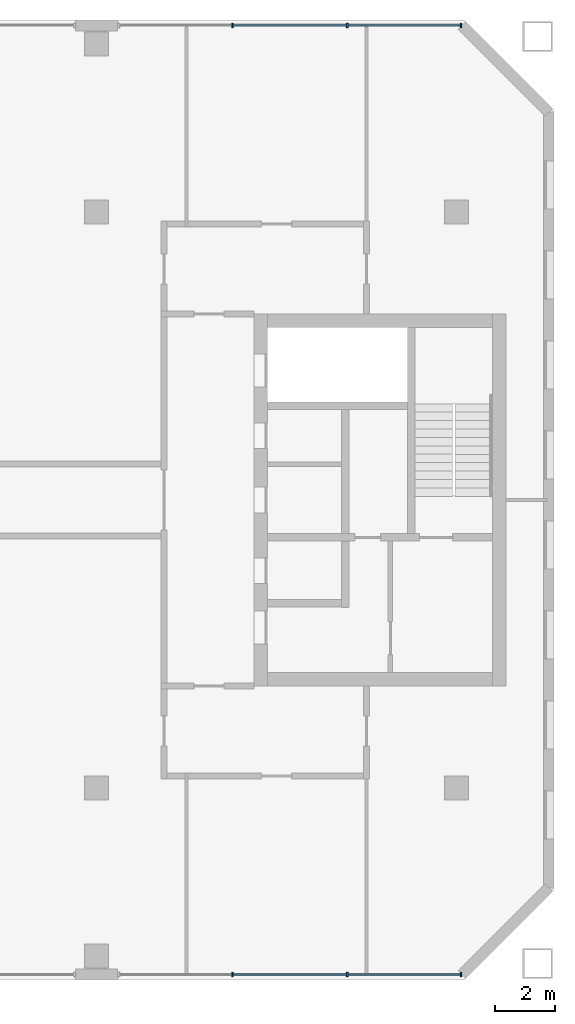
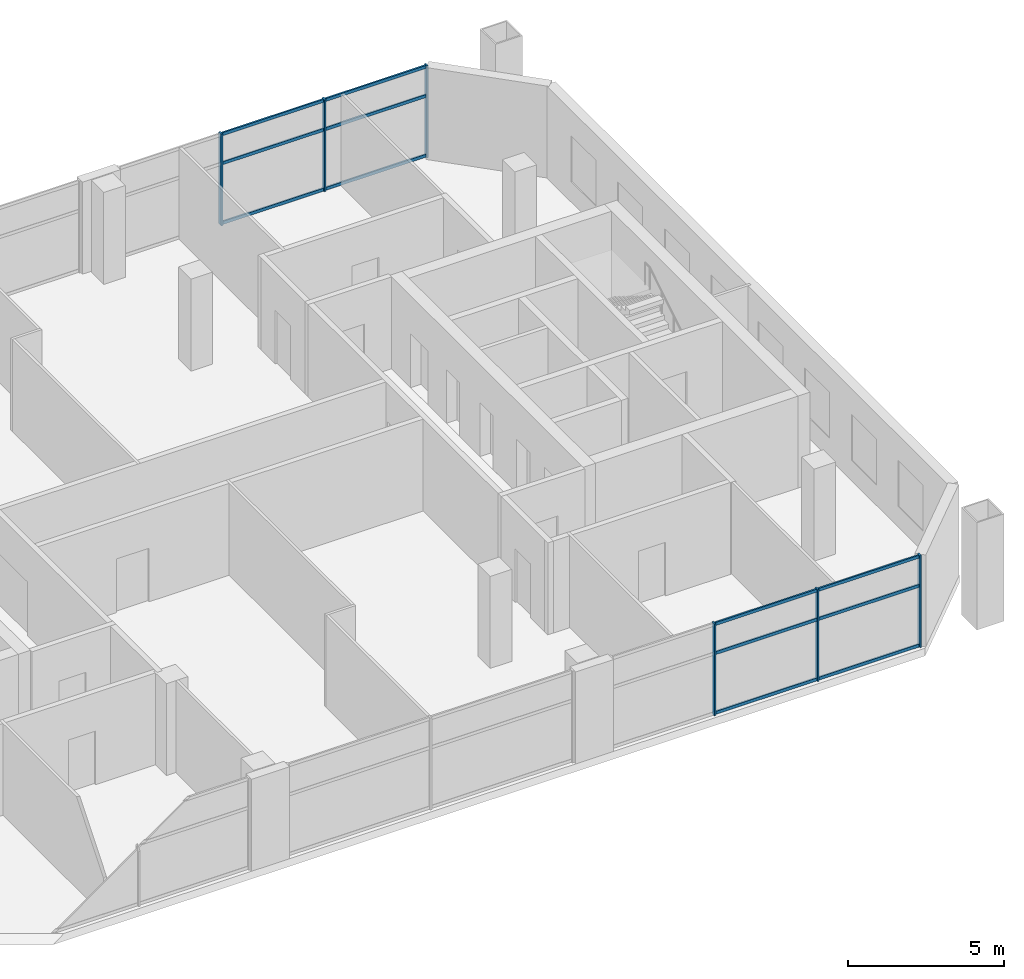
# One storey, part 7 of 19: 18 members, 2 elements without a shape of their own.
"""IFC4 building model written with IfcOpenShell, lengths in metres."""

from ifc_helpers import new_model, si_unit, direction, frame, origin, origin_2d, place, context, subcontext, project, spatial, rectangle, extrude, material, material_profile, profile_set, type_object, element, aggregate, save


model = new_model("IFC4")

# Units and contexts
model_context = context("Model", 3, precision=1e-05, world=origin(), true_north=direction((0.0, 1.0)))
body_context = subcontext(model_context, "Body", "Model", "MODEL_VIEW")
ifc_project = project(units=[si_unit("LENGTHUNIT", "METRE"), si_unit("AREAUNIT", "SQUARE_METRE"), si_unit("VOLUMEUNIT", "CUBIC_METRE"), si_unit("PLANEANGLEUNIT", "RADIAN"), si_unit("MASSUNIT", "GRAM", prefix="KILO")], contexts=[model_context])

# Site, building, storey
site_placement = place(None, origin())
site = spatial("IfcSite", under=ifc_project, at=site_placement, CompositionType="ELEMENT")
building_placement = place(site_placement, origin())
building = spatial("IfcBuilding", under=site, at=building_placement, Name="Tuart Gate Housing", CompositionType="ELEMENT")
storey_placement = place(building_placement, frame((0.0, 0.0, 171.60009765625)))
storey = spatial("IfcBuildingStorey", under=building, at=storey_placement, Name="L48", CompositionType="ELEMENT", Elevation=171.60009765625)

# Curtain wall, members
ifc_material_1 = material(Name="Aluminium and clear glass", Category="aluminium")
curtain_wall_type = type_object("IfcCurtainWallType", Name="Community floor glazing", PredefinedType="USERDEFINED", material=ifc_material_1)
curtain_wall_1_placement = place(storey_placement, origin())
curtain_wall_1 = element("IfcCurtainWall", 1, at=curtain_wall_1_placement, inside=storey, type_object=curtain_wall_type, Name="Community floor glazing B-S L48", ObjectType="COMMUNITY FLOOR GLAZING", PredefinedType="USERDEFINED")
ifc_material_2 = material(Name="Anodised aluminium", Category="aluminium")
ifc_material_profile_1 = material_profile(ifc_material_2, rectangle(XDim=0.06005859375, YDim=0.159912109375, at=origin_2d()), Name="60x160")
ifc_profile_set_1 = profile_set([ifc_material_profile_1], Name="Anodised aluminium")
member_type_1 = type_object("IfcMemberType", Name="Mullion 60 x 160", PredefinedType="MULLION", material=ifc_profile_set_1)
member_1_placement = place(storey_placement, frame((159.525146484375, 54.179931640625, 0.0), z_axis=(0.0, 0.0, 1.0), x_axis=(1.0, 0.0, 0.0)))
member_1 = element("IfcMember", 2, at=member_1_placement, type_object=member_type_1, Name="CW3 mullion 2", PredefinedType="MULLION", context=body_context, shape_type="SweptSolid", body=[
    extrude(rectangle(XDim=0.06005859375, YDim=0.159912109375, at=origin_2d()), origin(), (0.0, 0.0, 1.0), 3.599853515625),
])
member_2_placement = place(storey_placement, frame((163.350341796875, 54.179931640625, 0.0), z_axis=(0.0, 0.0, 1.0), x_axis=(1.0, 0.0, 0.0)))
member_2 = element("IfcMember", 3, at=member_2_placement, type_object=member_type_1, Name="CW3 mullion 3", PredefinedType="MULLION", context=body_context, shape_type="SweptSolid", body=[
    extrude(rectangle(XDim=0.06005859375, YDim=0.159912109375, at=origin_2d()), origin(), (0.0, 0.0, 1.0), 3.599853515625),
])
member_3_placement = place(storey_placement, frame((167.1455078125, 54.179931640625, 0.0), z_axis=(0.0, 0.0, 1.0), x_axis=(1.0, 0.0, 0.0)))
member_3 = element("IfcMember", 4, at=member_3_placement, type_object=member_type_1, Name="CW3 mullion 4", PredefinedType="MULLION", context=body_context, shape_type="SweptSolid", body=[
    extrude(rectangle(XDim=0.06005859375, YDim=0.159912109375, at=origin_2d()), origin(), (0.0, 0.0, 1.0), 3.599853515625),
])

curtain_wall_2_placement = place(storey_placement, origin())
curtain_wall_2 = element("IfcCurtainWall", 5, at=curtain_wall_2_placement, inside=storey, type_object=curtain_wall_type, Name="Community floor glazing B-N L48", ObjectType="COMMUNITY FLOOR GLAZING", PredefinedType="USERDEFINED")
member_4_placement = place(storey_placement, frame((167.1455078125, 85.820068359375, 0.0), z_axis=(0.0, 0.0, 1.0), x_axis=(-1.0, 0.0, 0.0)))
member_4 = element("IfcMember", 6, at=member_4_placement, type_object=member_type_1, Name="CW3 mullion 1", PredefinedType="MULLION", context=body_context, shape_type="SweptSolid", body=[
    extrude(rectangle(XDim=0.06005859375, YDim=0.159912109375, at=origin_2d()), origin(), (0.0, 0.0, 1.0), 3.599853515625),
])
member_5_placement = place(storey_placement, frame((163.350341796875, 85.820068359375, 0.0), z_axis=(0.0, 0.0, 1.0), x_axis=(-1.0, 0.0, 0.0)))
member_5 = element("IfcMember", 7, at=member_5_placement, type_object=member_type_1, Name="CW3 mullion 2", PredefinedType="MULLION", context=body_context, shape_type="SweptSolid", body=[
    extrude(rectangle(XDim=0.06005859375, YDim=0.159912109375, at=origin_2d()), origin(), (0.0, 0.0, 1.0), 3.599853515625),
])
member_6_placement = place(storey_placement, frame((159.525146484375, 85.820068359375, 0.0), z_axis=(0.0, 0.0, 1.0), x_axis=(-1.0, 0.0, 0.0)))
member_6 = element("IfcMember", 8, at=member_6_placement, type_object=member_type_1, Name="CW3 mullion 3", PredefinedType="MULLION", context=body_context, shape_type="SweptSolid", body=[
    extrude(rectangle(XDim=0.06005859375, YDim=0.159912109375, at=origin_2d()), origin(), (0.0, 0.0, 1.0), 3.599853515625),
])

# Member
ifc_material_3 = material(Name="Anodised aluminium", Category="aluminium")
ifc_material_profile_2 = material_profile(ifc_material_3, rectangle(XDim=0.06005859375, YDim=0.1201171875, at=origin_2d()), Name="60x120")
ifc_profile_set_2 = profile_set([ifc_material_profile_2], Name="Anodised aluminium")
member_type_2 = type_object("IfcMemberType", Name="Transom 60 x 120", PredefinedType="USERDEFINED", material=ifc_profile_set_2)
member_7_placement = place(storey_placement, frame((159.55517578125, 54.179931640625, 0.059814453125), z_axis=(1.0, 0.0, 0.0), x_axis=(0.0, 1.0, 0.0)))
member_7 = element("IfcMember", 9, at=member_7_placement, type_object=member_type_2, Name="CW3 transom 2.1", ObjectType="TRANSOM", PredefinedType="USERDEFINED", context=body_context, shape_type="SweptSolid", body=[
    extrude(rectangle(XDim=0.06005859375, YDim=0.1201171875, at=origin_2d()), origin(), (0.0, 0.0, 1.0), 3.76513671875),
])

member_8_placement = place(storey_placement, frame((159.55517578125, 54.179931640625, 2.39990234375), z_axis=(1.0, 0.0, 0.0), x_axis=(0.0, 1.0, 0.0)))
member_8 = element("IfcMember", 10, at=member_8_placement, type_object=member_type_2, Name="CW3 transom 2.2", ObjectType="TRANSOM", PredefinedType="USERDEFINED", context=body_context, shape_type="SweptSolid", body=[
    extrude(rectangle(XDim=0.06005859375, YDim=0.1201171875, at=origin_2d()), origin(), (0.0, 0.0, 1.0), 3.76513671875),
])

member_9_placement = place(storey_placement, frame((159.55517578125, 54.179931640625, 3.539794921875), z_axis=(1.0, 0.0, 0.0), x_axis=(0.0, 1.0, 0.0)))
member_9 = element("IfcMember", 11, at=member_9_placement, type_object=member_type_2, Name="CW3 transom 2.3", ObjectType="TRANSOM", PredefinedType="USERDEFINED", context=body_context, shape_type="SweptSolid", body=[
    extrude(rectangle(XDim=0.06005859375, YDim=0.1201171875, at=origin_2d()), origin(), (0.0, 0.0, 1.0), 3.76513671875),
])

member_10_placement = place(storey_placement, frame((163.38037109375, 54.179931640625, 0.059814453125), z_axis=(1.0, 0.0, 0.0), x_axis=(0.0, 1.0, 0.0)))
member_10 = element("IfcMember", 12, at=member_10_placement, type_object=member_type_2, Name="CW3 transom 3.1", ObjectType="TRANSOM", PredefinedType="USERDEFINED", context=body_context, shape_type="SweptSolid", body=[
    extrude(rectangle(XDim=0.06005859375, YDim=0.1201171875, at=origin_2d()), origin(), (0.0, 0.0, 1.0), 3.735107421875),
])

member_11_placement = place(storey_placement, frame((163.38037109375, 54.179931640625, 2.39990234375), z_axis=(1.0, 0.0, 0.0), x_axis=(0.0, 1.0, 0.0)))
member_11 = element("IfcMember", 13, at=member_11_placement, type_object=member_type_2, Name="CW3 transom 3.2", ObjectType="TRANSOM", PredefinedType="USERDEFINED", context=body_context, shape_type="SweptSolid", body=[
    extrude(rectangle(XDim=0.06005859375, YDim=0.1201171875, at=origin_2d()), origin(), (0.0, 0.0, 1.0), 3.735107421875),
])

member_12_placement = place(storey_placement, frame((163.38037109375, 54.179931640625, 3.539794921875), z_axis=(1.0, 0.0, 0.0), x_axis=(0.0, 1.0, 0.0)))
member_12 = element("IfcMember", 14, at=member_12_placement, type_object=member_type_2, Name="CW3 transom 3.3", ObjectType="TRANSOM", PredefinedType="USERDEFINED", context=body_context, shape_type="SweptSolid", body=[
    extrude(rectangle(XDim=0.06005859375, YDim=0.1201171875, at=origin_2d()), origin(), (0.0, 0.0, 1.0), 3.735107421875),
])

aggregate(curtain_wall_1, [member_1, member_2, member_3, member_7, member_8, member_9, member_10, member_11, member_12])

member_13_placement = place(storey_placement, frame((167.115478515625, 85.820068359375, 0.059814453125), z_axis=(-1.0, 0.0, 0.0), x_axis=(0.0, -1.0, 0.0)))
member_13 = element("IfcMember", 15, at=member_13_placement, type_object=member_type_2, Name="CW3 transom 1.1", ObjectType="TRANSOM", PredefinedType="USERDEFINED", context=body_context, shape_type="SweptSolid", body=[
    extrude(rectangle(XDim=0.06005859375, YDim=0.1201171875, at=origin_2d()), origin(), (0.0, 0.0, 1.0), 3.735107421875),
])

member_14_placement = place(storey_placement, frame((167.115478515625, 85.820068359375, 2.39990234375), z_axis=(-1.0, 0.0, 0.0), x_axis=(0.0, -1.0, 0.0)))
member_14 = element("IfcMember", 16, at=member_14_placement, type_object=member_type_2, Name="CW3 transom 1.2", ObjectType="TRANSOM", PredefinedType="USERDEFINED", context=body_context, shape_type="SweptSolid", body=[
    extrude(rectangle(XDim=0.06005859375, YDim=0.1201171875, at=origin_2d()), origin(), (0.0, 0.0, 1.0), 3.735107421875),
])

member_15_placement = place(storey_placement, frame((167.115478515625, 85.820068359375, 3.539794921875), z_axis=(-1.0, 0.0, 0.0), x_axis=(0.0, -1.0, 0.0)))
member_15 = element("IfcMember", 17, at=member_15_placement, type_object=member_type_2, Name="CW3 transom 1.3", ObjectType="TRANSOM", PredefinedType="USERDEFINED", context=body_context, shape_type="SweptSolid", body=[
    extrude(rectangle(XDim=0.06005859375, YDim=0.1201171875, at=origin_2d()), origin(), (0.0, 0.0, 1.0), 3.735107421875),
])

member_16_placement = place(storey_placement, frame((163.3203125, 85.820068359375, 0.059814453125), z_axis=(-1.0, 0.0, 0.0), x_axis=(0.0, -1.0, 0.0)))
member_16 = element("IfcMember", 18, at=member_16_placement, type_object=member_type_2, Name="CW3 transom 2.1", ObjectType="TRANSOM", PredefinedType="USERDEFINED", context=body_context, shape_type="SweptSolid", body=[
    extrude(rectangle(XDim=0.06005859375, YDim=0.1201171875, at=origin_2d()), origin(), (0.0, 0.0, 1.0), 3.76513671875),
])

member_17_placement = place(storey_placement, frame((163.3203125, 85.820068359375, 2.39990234375), z_axis=(-1.0, 0.0, 0.0), x_axis=(0.0, -1.0, 0.0)))
member_17 = element("IfcMember", 19, at=member_17_placement, type_object=member_type_2, Name="CW3 transom 2.2", ObjectType="TRANSOM", PredefinedType="USERDEFINED", context=body_context, shape_type="SweptSolid", body=[
    extrude(rectangle(XDim=0.06005859375, YDim=0.1201171875, at=origin_2d()), origin(), (0.0, 0.0, 1.0), 3.76513671875),
])

member_18_placement = place(storey_placement, frame((163.3203125, 85.820068359375, 3.539794921875), z_axis=(-1.0, 0.0, 0.0), x_axis=(0.0, -1.0, 0.0)))
member_18 = element("IfcMember", 20, at=member_18_placement, type_object=member_type_2, Name="CW3 transom 2.3", ObjectType="TRANSOM", PredefinedType="USERDEFINED", context=body_context, shape_type="SweptSolid", body=[
    extrude(rectangle(XDim=0.06005859375, YDim=0.1201171875, at=origin_2d()), origin(), (0.0, 0.0, 1.0), 3.76513671875),
])

aggregate(curtain_wall_2, [member_4, member_5, member_6, member_13, member_14, member_15, member_16, member_17, member_18])

save(model, "model.ifc")
